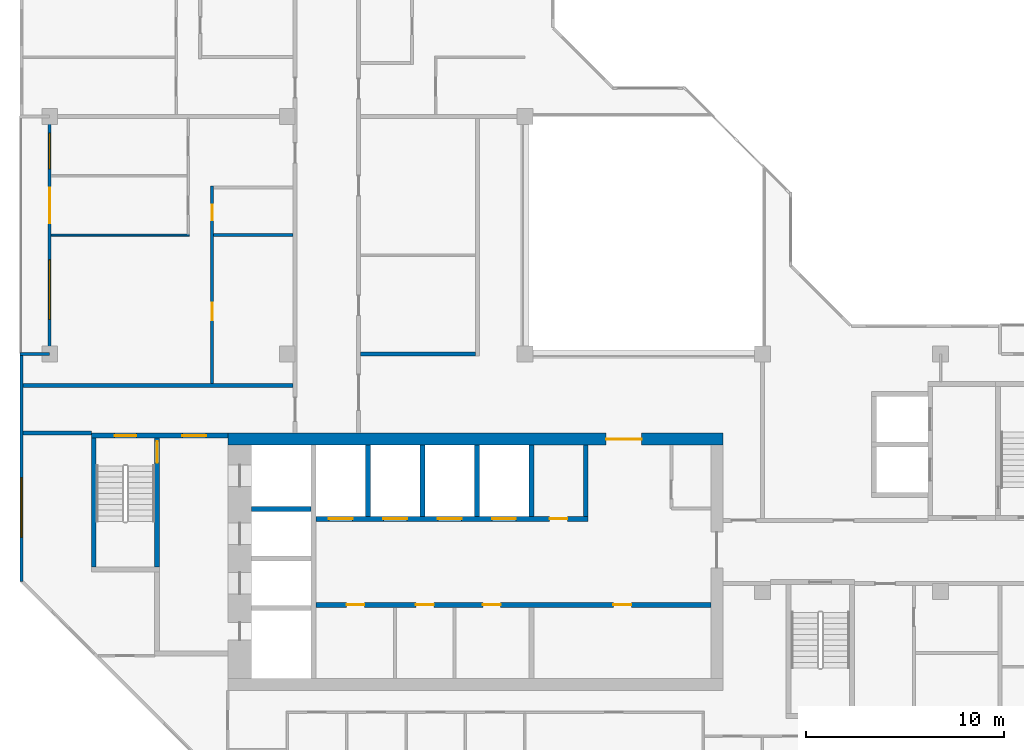
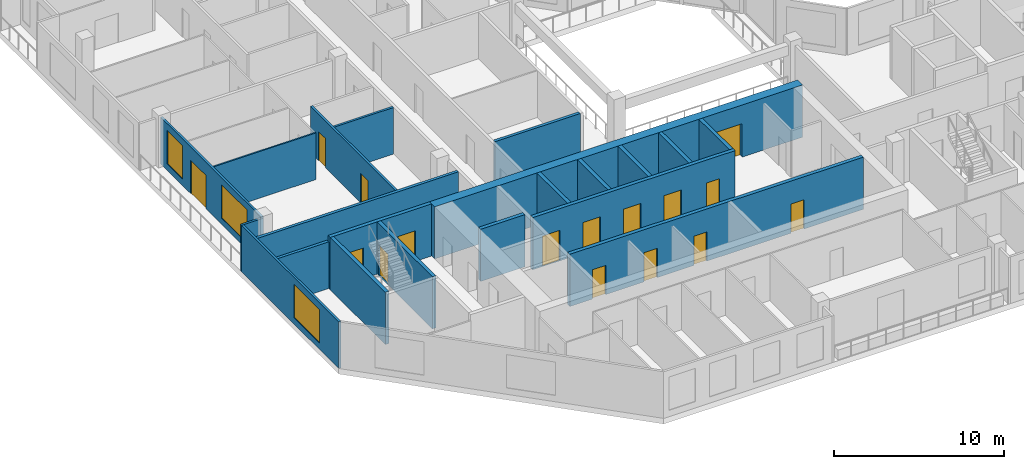
# One storey, part 5 of 13: 21 walls, 16 doors, 3 windows, 19 openings.
"""IFC4 building model written with IfcOpenShell, lengths in metres."""

from ifc_helpers import new_model, si_unit, direction, frame, frame_2d, origin, place, context, subcontext, project, spatial, rectangle, extrude, material, layer, layer_set, type_object, element, fill, save


model = new_model("IFC4")

# Units and contexts
model_context = context("Model", 3, precision=1e-05, world=origin(), true_north=direction((0.0, 1.0)))
body_context = subcontext(model_context, "Body", "Model", "MODEL_VIEW")
ifc_project = project(units=[si_unit("LENGTHUNIT", "METRE"), si_unit("AREAUNIT", "SQUARE_METRE"), si_unit("VOLUMEUNIT", "CUBIC_METRE"), si_unit("PLANEANGLEUNIT", "RADIAN"), si_unit("MASSUNIT", "GRAM", prefix="KILO")], contexts=[model_context])

# Site, building, storey
site_placement = place(None, origin())
site = spatial("IfcSite", under=ifc_project, at=site_placement, CompositionType="ELEMENT")
building_placement = place(site_placement, origin())
building = spatial("IfcBuilding", under=site, at=building_placement, Name="Chenar Terraces", CompositionType="ELEMENT")
storey_placement = place(building_placement, frame((0.0, 0.0, 277.14990234375)))
storey = spatial("IfcBuildingStorey", under=building, at=storey_placement, Name="L64", CompositionType="ELEMENT", Elevation=277.14990234375)

# Wall, openings, doors
ifc_material_1 = material(Name="Concrete C50/60", Category="concrete")
ifc_layer_1 = layer(ifc_material_1, 0.25)
ifc_layer_set_1 = layer_set([ifc_layer_1], Name="Concrete C50/60")
wall_type_1 = type_object("IfcWallType", Name="Core wall 250 Concrete C50/60", PredefinedType="SHEAR", material=ifc_layer_set_1)
wall_1_placement = place(storey_placement, frame((13.449951171875, 11.324951171875, 0.0), z_axis=(0.0, 0.0, 1.0), x_axis=(1.0, 0.0, 0.0)))
wall_1 = element("IfcWall", 1, at=wall_1_placement, inside=storey, type_object=wall_type_1, Name="Core wall SF L64", PredefinedType="SHEAR", context=body_context, shape_type="SweptSolid", body=[
    extrude(rectangle(XDim=19.949951171875, YDim=0.25, at=frame_2d((9.97509765625, 0.0))), origin(), (0.0, 0.0, 1.0), 3.75),
])
opening_1_placement = place(wall_1_placement, frame((1.550048828125, 0.0, 0.0)))
opening_1 = element("IfcOpeningElement", 2, at=opening_1_placement, cuts=wall_1, Name="Opening DL64-C12", PredefinedType="OPENING", context=body_context, shape_type="SweptSolid", body=[
    extrude(rectangle(XDim=0.89990234375, YDim=2.10009765625, at=frame_2d((0.449951171875, 1.050048828125))), frame((0.0, 0.135009765625, 0.0), z_axis=(0.0, -1.0, 0.0), x_axis=(1.0, 0.0, 0.0)), (0.0, 0.0, 1.0), 0.27001953125),
])
opening_2_placement = place(wall_1_placement, frame((5.050048828125, 0.0, 0.0)))
opening_2 = element("IfcOpeningElement", 3, at=opening_2_placement, cuts=wall_1, Name="Opening DL64-C13", PredefinedType="OPENING", context=body_context, shape_type="SweptSolid", body=[
    extrude(rectangle(XDim=0.89990234375, YDim=2.10009765625, at=frame_2d((0.449951171875, 1.050048828125))), frame((0.0, 0.135009765625, 0.0), z_axis=(0.0, -1.0, 0.0), x_axis=(1.0, 0.0, 0.0)), (0.0, 0.0, 1.0), 0.27001953125),
])
opening_3_placement = place(wall_1_placement, frame((8.425048828125, 0.0, 0.0)))
opening_3 = element("IfcOpeningElement", 4, at=opening_3_placement, cuts=wall_1, Name="Opening DL64-C14", PredefinedType="OPENING", context=body_context, shape_type="SweptSolid", body=[
    extrude(rectangle(XDim=0.89990234375, YDim=2.10009765625, at=frame_2d((0.449951171875, 1.050048828125))), frame((0.0, 0.135009765625, 0.0), z_axis=(0.0, -1.0, 0.0), x_axis=(1.0, 0.0, 0.0)), (0.0, 0.0, 1.0), 0.27001953125),
])
opening_4_placement = place(wall_1_placement, frame((15.02490234375, 0.0, 0.0)))
opening_4 = element("IfcOpeningElement", 5, at=opening_4_placement, cuts=wall_1, Name="Opening DL64-C15", PredefinedType="OPENING", context=body_context, shape_type="SweptSolid", body=[
    extrude(rectangle(XDim=0.89990234375, YDim=2.10009765625, at=frame_2d((0.449951171875, 1.050048828125))), frame((0.0, 0.135009765625, 0.0), z_axis=(0.0, -1.0, 0.0), x_axis=(1.0, 0.0, 0.0)), (0.0, 0.0, 1.0), 0.27001953125),
])
ifc_material_2 = material(Name="Steel-framed fire-resisting door leaf", Category="steel")
door_type_1 = type_object("IfcDoorType", Name="Riser fire door FD60 900 x 2100", OperationType="SINGLE_SWING_LEFT", PredefinedType="DOOR", material=ifc_material_2)
door_1_placement = place(opening_1_placement, frame((0.89990234375, 0.0, 0.0), z_axis=(0.0, 0.0, 1.0), x_axis=(-1.0, 0.0, 0.0)))
door_1 = element("IfcDoor", 6, at=door_1_placement, inside=storey, type_object=door_type_1, Name="Core room door DL64-C12", OperationType="SINGLE_SWING_LEFT", OverallHeight=2.10009765625, OverallWidth=0.89990234375, PredefinedType="DOOR", context=body_context, shape_type="SweptSolid", body=[
    extrude(rectangle(XDim=0.89990234375, YDim=2.10009765625, at=frame_2d((0.449951171875, 1.050048828125))), frame((0.0, 0.02490234375, 0.0), z_axis=(0.0, -1.0, 0.0), x_axis=(1.0, 0.0, 0.0)), (0.0, 0.0, 1.0), 0.050048828125),
])
fill(opening_1, door_1)
door_2_placement = place(opening_2_placement, frame((0.89990234375, 0.0, 0.0), z_axis=(0.0, 0.0, 1.0), x_axis=(-1.0, 0.0, 0.0)))
door_2 = element("IfcDoor", 7, at=door_2_placement, inside=storey, type_object=door_type_1, Name="Core room door DL64-C13", OperationType="SINGLE_SWING_LEFT", OverallHeight=2.10009765625, OverallWidth=0.89990234375, PredefinedType="DOOR", context=body_context, shape_type="SweptSolid", body=[
    extrude(rectangle(XDim=0.89990234375, YDim=2.10009765625, at=frame_2d((0.449951171875, 1.050048828125))), frame((0.0, 0.02490234375, 0.0), z_axis=(0.0, -1.0, 0.0), x_axis=(1.0, 0.0, 0.0)), (0.0, 0.0, 1.0), 0.050048828125),
])
fill(opening_2, door_2)
door_3_placement = place(opening_3_placement, frame((0.89990234375, 0.0, 0.0), z_axis=(0.0, 0.0, 1.0), x_axis=(-1.0, 0.0, 0.0)))
door_3 = element("IfcDoor", 8, at=door_3_placement, inside=storey, type_object=door_type_1, Name="Core room door DL64-C14", OperationType="SINGLE_SWING_RIGHT", OverallHeight=2.10009765625, OverallWidth=0.89990234375, PredefinedType="DOOR", context=body_context, shape_type="SweptSolid", body=[
    extrude(rectangle(XDim=0.89990234375, YDim=2.10009765625, at=frame_2d((0.449951171875, 1.050048828125))), frame((0.0, 0.02490234375, 0.0), z_axis=(0.0, -1.0, 0.0), x_axis=(1.0, 0.0, 0.0)), (0.0, 0.0, 1.0), 0.050048828125),
])
fill(opening_3, door_3)
door_4_placement = place(opening_4_placement, frame((0.89990234375, 0.0, 0.0), z_axis=(0.0, 0.0, 1.0), x_axis=(-1.0, 0.0, 0.0)))
door_4 = element("IfcDoor", 9, at=door_4_placement, inside=storey, type_object=door_type_1, Name="Core room door DL64-C15", OperationType="SINGLE_SWING_LEFT", OverallHeight=2.10009765625, OverallWidth=0.89990234375, PredefinedType="DOOR", context=body_context, shape_type="SweptSolid", body=[
    extrude(rectangle(XDim=0.89990234375, YDim=2.10009765625, at=frame_2d((0.449951171875, 1.050048828125))), frame((0.0, 0.02490234375, 0.0), z_axis=(0.0, -1.0, 0.0), x_axis=(1.0, 0.0, 0.0)), (0.0, 0.0, 1.0), 0.050048828125),
])
fill(opening_4, door_4)

wall_2_placement = place(storey_placement, frame((13.449951171875, 15.675048828125, 0.0), z_axis=(0.0, 0.0, 1.0), x_axis=(1.0, 0.0, 0.0)))
wall_2 = element("IfcWall", 10, at=wall_2_placement, inside=storey, type_object=wall_type_1, Name="Core wall NF L64", PredefinedType="SHEAR", context=body_context, shape_type="SweptSolid", body=[
    extrude(rectangle(XDim=13.75, YDim=0.25, at=frame_2d((6.875, 0.0))), origin(), (0.0, 0.0, 1.0), 3.75),
])
opening_5_placement = place(wall_2_placement, frame((0.64990234375, 0.0, 0.0)))
opening_5 = element("IfcOpeningElement", 11, at=opening_5_placement, cuts=wall_2, Name="Opening DL64-LD1", PredefinedType="OPENING", context=body_context, shape_type="SweptSolid", body=[
    extrude(rectangle(XDim=1.199951171875, YDim=2.199951171875, at=frame_2d((0.60009765625, 1.10009765625))), frame((0.0, 0.135009765625, 0.0), z_axis=(0.0, -1.0, 0.0), x_axis=(1.0, 0.0, 0.0)), (0.0, 0.0, 1.0), 0.27001953125),
])
opening_6_placement = place(wall_2_placement, frame((3.39990234375, 0.0, 0.0)))
opening_6 = element("IfcOpeningElement", 12, at=opening_6_placement, cuts=wall_2, Name="Opening DL64-LD2", PredefinedType="OPENING", context=body_context, shape_type="SweptSolid", body=[
    extrude(rectangle(XDim=1.199951171875, YDim=2.199951171875, at=frame_2d((0.60009765625, 1.10009765625))), frame((0.0, 0.135009765625, 0.0), z_axis=(0.0, -1.0, 0.0), x_axis=(1.0, 0.0, 0.0)), (0.0, 0.0, 1.0), 0.27001953125),
])
opening_7_placement = place(wall_2_placement, frame((6.14990234375, 0.0, 0.0)))
opening_7 = element("IfcOpeningElement", 13, at=opening_7_placement, cuts=wall_2, Name="Opening DL64-LD3", PredefinedType="OPENING", context=body_context, shape_type="SweptSolid", body=[
    extrude(rectangle(XDim=1.199951171875, YDim=2.199951171875, at=frame_2d((0.60009765625, 1.10009765625))), frame((0.0, 0.135009765625, 0.0), z_axis=(0.0, -1.0, 0.0), x_axis=(1.0, 0.0, 0.0)), (0.0, 0.0, 1.0), 0.27001953125),
])
opening_8_placement = place(wall_2_placement, frame((8.89990234375, 0.0, 0.0)))
opening_8 = element("IfcOpeningElement", 14, at=opening_8_placement, cuts=wall_2, Name="Opening DL64-LD4", PredefinedType="OPENING", context=body_context, shape_type="SweptSolid", body=[
    extrude(rectangle(XDim=1.199951171875, YDim=2.199951171875, at=frame_2d((0.60009765625, 1.10009765625))), frame((0.0, 0.135009765625, 0.0), z_axis=(0.0, -1.0, 0.0), x_axis=(1.0, 0.0, 0.0)), (0.0, 0.0, 1.0), 0.27001953125),
])
opening_9_placement = place(wall_2_placement, frame((11.800048828125, 0.0, 0.0)))
opening_9 = element("IfcOpeningElement", 15, at=opening_9_placement, cuts=wall_2, Name="Opening DL64-C16", PredefinedType="OPENING", context=body_context, shape_type="SweptSolid", body=[
    extrude(rectangle(XDim=0.89990234375, YDim=2.10009765625, at=frame_2d((0.449951171875, 1.050048828125))), frame((0.0, 0.135009765625, 0.0), z_axis=(0.0, -1.0, 0.0), x_axis=(1.0, 0.0, 0.0)), (0.0, 0.0, 1.0), 0.27001953125),
])
ifc_material_3 = material(Name="Stainless steel", Category="steel")
door_type_2 = type_object("IfcDoorType", Name="Lift landing door 1200 x 2200 sliding", OperationType="DOUBLE_DOOR_SLIDING", PredefinedType="DOOR", material=ifc_material_3)
door_5_placement = place(opening_5_placement, origin())
door_5 = element("IfcDoor", 16, at=door_5_placement, inside=storey, type_object=door_type_2, Name="Landing door H1", OperationType="DOUBLE_DOOR_SLIDING", OverallHeight=2.199951171875, OverallWidth=1.199951171875, PredefinedType="DOOR", context=body_context, shape_type="SweptSolid", body=[
    extrude(rectangle(XDim=1.199951171875, YDim=2.199951171875, at=frame_2d((0.60009765625, 1.10009765625))), frame((0.0, 0.02490234375, 0.0), z_axis=(0.0, -1.0, 0.0), x_axis=(1.0, 0.0, 0.0)), (0.0, 0.0, 1.0), 0.050048828125),
])
fill(opening_5, door_5)
door_6_placement = place(opening_6_placement, origin())
door_6 = element("IfcDoor", 17, at=door_6_placement, inside=storey, type_object=door_type_2, Name="Landing door H2", OperationType="DOUBLE_DOOR_SLIDING", OverallHeight=2.199951171875, OverallWidth=1.199951171875, PredefinedType="DOOR", context=body_context, shape_type="SweptSolid", body=[
    extrude(rectangle(XDim=1.199951171875, YDim=2.199951171875, at=frame_2d((0.60009765625, 1.10009765625))), frame((0.0, 0.02490234375, 0.0), z_axis=(0.0, -1.0, 0.0), x_axis=(1.0, 0.0, 0.0)), (0.0, 0.0, 1.0), 0.050048828125),
])
fill(opening_6, door_6)
door_7_placement = place(opening_7_placement, origin())
door_7 = element("IfcDoor", 18, at=door_7_placement, inside=storey, type_object=door_type_2, Name="Landing door H3", OperationType="DOUBLE_DOOR_SLIDING", OverallHeight=2.199951171875, OverallWidth=1.199951171875, PredefinedType="DOOR", context=body_context, shape_type="SweptSolid", body=[
    extrude(rectangle(XDim=1.199951171875, YDim=2.199951171875, at=frame_2d((0.60009765625, 1.10009765625))), frame((0.0, 0.02490234375, 0.0), z_axis=(0.0, -1.0, 0.0), x_axis=(1.0, 0.0, 0.0)), (0.0, 0.0, 1.0), 0.050048828125),
])
fill(opening_7, door_7)
door_8_placement = place(opening_8_placement, origin())
door_8 = element("IfcDoor", 19, at=door_8_placement, inside=storey, type_object=door_type_2, Name="Landing door H4", OperationType="DOUBLE_DOOR_SLIDING", OverallHeight=2.199951171875, OverallWidth=1.199951171875, PredefinedType="DOOR", context=body_context, shape_type="SweptSolid", body=[
    extrude(rectangle(XDim=1.199951171875, YDim=2.199951171875, at=frame_2d((0.60009765625, 1.10009765625))), frame((0.0, 0.02490234375, 0.0), z_axis=(0.0, -1.0, 0.0), x_axis=(1.0, 0.0, 0.0)), (0.0, 0.0, 1.0), 0.050048828125),
])
fill(opening_8, door_8)
door_9_placement = place(opening_9_placement, origin())
door_9 = element("IfcDoor", 20, at=door_9_placement, inside=storey, type_object=door_type_1, Name="Core room door DL64-C16", OperationType="SINGLE_SWING_RIGHT", OverallHeight=2.10009765625, OverallWidth=0.89990234375, PredefinedType="DOOR", context=body_context, shape_type="SweptSolid", body=[
    extrude(rectangle(XDim=0.89990234375, YDim=2.10009765625, at=frame_2d((0.449951171875, 1.050048828125))), frame((0.0, 0.02490234375, 0.0), z_axis=(0.0, -1.0, 0.0), x_axis=(1.0, 0.0, 0.0)), (0.0, 0.0, 1.0), 0.050048828125),
])
fill(opening_9, door_9)

# Walls
wall_3_placement = place(storey_placement, frame((10.199951171875, 16.175048828125, 0.0), z_axis=(0.0, 0.0, 1.0), x_axis=(1.0, 0.0, 0.0)))
element("IfcWall", 21, at=wall_3_placement, inside=storey, type_object=wall_type_1, Name="Core wall HW2 L64", PredefinedType="SHEAR", context=body_context, shape_type="SweptSolid", body=[
    extrude(rectangle(XDim=3.0, YDim=0.25, at=frame_2d((1.5, 0.0))), origin(), (0.0, 0.0, 1.0), 3.75),
])
for number, where, z_axis, x_axis, name in (
    (22, (16.074951171875, 15.800048828125, 0.0), (0.0, 0.0, 1.0), (0.0, 1.0, 0.0), "Core wall NS0 L64"),
    (23, (18.824951171875, 15.800048828125, 0.0), (0.0, 0.0, 1.0), (0.0, 1.0, 0.0), "Core wall NS1 L64"),
    (24, (21.574951171875, 15.800048828125, 0.0), (0.0, 0.0, 1.0), (0.0, 1.0, 0.0), "Core wall NS2 L64"),
    (25, (24.324951171875, 15.800048828125, 0.0), (0.0, 0.0, 1.0), (0.0, 1.0, 0.0), "Core wall NS3 L64"),
    (26, (27.074951171875, 15.800048828125, 0.0), (0.0, 0.0, 1.0), (0.0, 1.0, 0.0), "Core wall NE L64"),
):
    element("IfcWall", number, at=place(storey_placement, frame(where, z_axis=z_axis, x_axis=x_axis)), inside=storey, type_object=wall_type_1, Name=name, PredefinedType="SHEAR", context=body_context, shape_type="SweptSolid", body=[
        extrude(rectangle(XDim=3.599853515625, YDim=0.25, at=frame_2d((1.7998046875, 0.0))), origin(), (0.0, 0.0, 1.0), 3.75),
    ])

# Wall, openings, doors
wall_4_placement = place(storey_placement, frame((2.10009765625, 19.875, 0.0), z_axis=(0.0, 0.0, 1.0), x_axis=(1.0, 0.0, 0.0)))
wall_4 = element("IfcWall", 27, at=wall_4_placement, inside=storey, type_object=wall_type_1, Name="Core wall A_N L64", PredefinedType="SHEAR", context=body_context, shape_type="SweptSolid", body=[
    extrude(rectangle(XDim=6.89990234375, YDim=0.25, at=frame_2d((3.449951171875, 0.0))), origin(), (0.0, 0.0, 1.0), 3.75),
])
opening_10_placement = place(wall_4_placement, frame((1.175048828125, 0.0, 0.0)))
opening_10 = element("IfcOpeningElement", 28, at=opening_10_placement, cuts=wall_4, Name="Opening DL64-C5", PredefinedType="OPENING", context=body_context, shape_type="SweptSolid", body=[
    extrude(rectangle(XDim=1.10009765625, YDim=2.199951171875, at=frame_2d((0.550048828125, 1.10009765625))), frame((0.0, 0.135009765625, 0.0), z_axis=(0.0, -1.0, 0.0), x_axis=(1.0, 0.0, 0.0)), (0.0, 0.0, 1.0), 0.27001953125),
])
opening_11_placement = place(wall_4_placement, frame((4.60009765625, 0.0, 0.0)))
opening_11 = element("IfcOpeningElement", 29, at=opening_11_placement, cuts=wall_4, Name="Opening DL64-C6", PredefinedType="OPENING", context=body_context, shape_type="SweptSolid", body=[
    extrude(rectangle(XDim=1.199951171875, YDim=2.199951171875, at=frame_2d((0.60009765625, 1.10009765625))), frame((0.0, 0.135009765625, 0.0), z_axis=(0.0, -1.0, 0.0), x_axis=(1.0, 0.0, 0.0)), (0.0, 0.0, 1.0), 0.27001953125),
])
ifc_material_4 = material(Name="Steel-framed fire-resisting door leaf", Category="steel")
door_type_3 = type_object("IfcDoorType", Name="Lobby fire door FD60 1200 x 2200", OperationType="SINGLE_SWING_LEFT", PredefinedType="DOOR", material=ifc_material_4)
door_10_placement = place(opening_11_placement, frame((1.199951171875, 0.0, 0.0), z_axis=(0.0, 0.0, 1.0), x_axis=(-1.0, 0.0, 0.0)))
door_10 = element("IfcDoor", 30, at=door_10_placement, inside=storey, type_object=door_type_3, Name="Core door DL64-C6", OperationType="SINGLE_SWING_LEFT", OverallHeight=2.199951171875, OverallWidth=1.199951171875, PredefinedType="DOOR", context=body_context, shape_type="SweptSolid", body=[
    extrude(rectangle(XDim=1.199951171875, YDim=2.199951171875, at=frame_2d((0.60009765625, 1.10009765625))), frame((0.0, 0.02490234375, 0.0), z_axis=(0.0, -1.0, 0.0), x_axis=(1.0, 0.0, 0.0)), (0.0, 0.0, 1.0), 0.050048828125),
])
fill(opening_11, door_10)
ifc_material_5 = material(Name="Steel-framed fire-resisting door leaf", Category="steel")
door_type_4 = type_object("IfcDoorType", Name="Stair fire door FD60 1100 x 2200", OperationType="SINGLE_SWING_LEFT", PredefinedType="DOOR", material=ifc_material_5)
door_11_placement = place(opening_10_placement, origin())
door_11 = element("IfcDoor", 31, at=door_11_placement, inside=storey, type_object=door_type_4, Name="Stair door DL64-C5", OperationType="SINGLE_SWING_LEFT", OverallHeight=2.199951171875, OverallWidth=1.10009765625, PredefinedType="DOOR", context=body_context, shape_type="SweptSolid", body=[
    extrude(rectangle(XDim=1.10009765625, YDim=2.199951171875, at=frame_2d((0.550048828125, 1.10009765625))), frame((0.0, 0.02490234375, 0.0), z_axis=(0.0, -1.0, 0.0), x_axis=(1.0, 0.0, 0.0)), (0.0, 0.0, 1.0), 0.050048828125),
])
fill(opening_10, door_11)

# Wall
wall_5_placement = place(storey_placement, frame((2.22509765625, 13.25, 0.0), z_axis=(0.0, 0.0, 1.0), x_axis=(0.0, 1.0, 0.0)))
element("IfcWall", 32, at=wall_5_placement, inside=storey, type_object=wall_type_1, Name="Core wall ST1_W L64", PredefinedType="SHEAR", context=body_context, shape_type="SweptSolid", body=[
    extrude(rectangle(XDim=6.5, YDim=0.25, at=frame_2d((3.25, 0.0))), origin(), (0.0, 0.0, 1.0), 3.75),
])

# Wall, opening, door
wall_6_placement = place(storey_placement, frame((5.425048828125, 13.25, 0.0), z_axis=(0.0, 0.0, 1.0), x_axis=(0.0, 1.0, 0.0)))
wall_6 = element("IfcWall", 33, at=wall_6_placement, inside=storey, type_object=wall_type_1, Name="Core wall ST1_E L64", PredefinedType="SHEAR", context=body_context, shape_type="SweptSolid", body=[
    extrude(rectangle(XDim=6.5, YDim=0.25, at=frame_2d((3.25, 0.0))), origin(), (0.0, 0.0, 1.0), 3.75),
])
opening_12_placement = place(wall_6_placement, frame((5.25, 0.0, 0.0)))
opening_12 = element("IfcOpeningElement", 34, at=opening_12_placement, cuts=wall_6, Name="Opening DL64-C3", PredefinedType="OPENING", context=body_context, shape_type="SweptSolid", body=[
    extrude(rectangle(XDim=1.10009765625, YDim=2.199951171875, at=frame_2d((0.550048828125, 1.10009765625))), frame((0.0, 0.135009765625, 0.0), z_axis=(0.0, -1.0, 0.0), x_axis=(1.0, 0.0, 0.0)), (0.0, 0.0, 1.0), 0.27001953125),
])
door_12_placement = place(opening_12_placement, origin())
door_12 = element("IfcDoor", 35, at=door_12_placement, inside=storey, type_object=door_type_4, Name="Stair door DL64-C3", OperationType="SINGLE_SWING_RIGHT", OverallHeight=2.199951171875, OverallWidth=1.10009765625, PredefinedType="DOOR", context=body_context, shape_type="SweptSolid", body=[
    extrude(rectangle(XDim=1.10009765625, YDim=2.199951171875, at=frame_2d((0.550048828125, 1.10009765625))), frame((0.0, 0.02490234375, 0.0), z_axis=(0.0, -1.0, 0.0), x_axis=(1.0, 0.0, 0.0)), (0.0, 0.0, 1.0), 0.050048828125),
])
fill(opening_12, door_12)

ifc_material_6 = material(Name="Concrete C50/60", Category="concrete")
ifc_layer_2 = layer(ifc_material_6, 0.60009765625)
ifc_layer_set_2 = layer_set([ifc_layer_2], Name="Concrete C50/60")
wall_type_2 = type_object("IfcWallType", Name="Core wall 600 Concrete C50/60", PredefinedType="SHEAR", material=ifc_layer_set_2)
wall_7_placement = place(storey_placement, frame((9.0, 19.699951171875, 0.0), z_axis=(0.0, 0.0, 1.0), x_axis=(1.0, 0.0, 0.0)))
wall_7 = element("IfcWall", 36, at=wall_7_placement, inside=storey, type_object=wall_type_2, Name="Core wall N L64", PredefinedType="SHEAR", context=body_context, shape_type="SweptSolid", body=[
    extrude(rectangle(XDim=25.0, YDim=0.60009765625, at=frame_2d((12.5, 0.0))), origin(), (0.0, 0.0, 1.0), 3.75),
])
opening_13_placement = place(wall_7_placement, frame((19.10009765625, 0.0, 0.0)))
opening_13 = element("IfcOpeningElement", 37, at=opening_13_placement, cuts=wall_7, Name="Opening DL64-C2", PredefinedType="OPENING", context=body_context, shape_type="SweptSolid", body=[
    extrude(rectangle(XDim=1.800048828125, YDim=2.39990234375, at=frame_2d((0.89990234375, 1.199951171875))), frame((0.0, 0.31005859375, 0.0), z_axis=(0.0, -1.0, 0.0), x_axis=(1.0, 0.0, 0.0)), (0.0, 0.0, 1.0), 0.6201171875),
])
ifc_material_7 = material(Name="Steel-framed fire-resisting door leaf", Category="steel")
door_type_5 = type_object("IfcDoorType", Name="Core entrance double fire door FD60 1800 x 2400", OperationType="DOUBLE_DOOR_SINGLE_SWING", PredefinedType="DOOR", material=ifc_material_7)
door_13_placement = place(opening_13_placement, frame((1.800048828125, 0.0, 0.0), z_axis=(0.0, 0.0, 1.0), x_axis=(-1.0, 0.0, 0.0)))
door_13 = element("IfcDoor", 38, at=door_13_placement, inside=storey, type_object=door_type_5, Name="Core door DL64-C2", OperationType="DOUBLE_DOOR_SINGLE_SWING", OverallHeight=2.39990234375, OverallWidth=1.800048828125, PredefinedType="DOOR", context=body_context, shape_type="SweptSolid", body=[
    extrude(rectangle(XDim=1.800048828125, YDim=2.39990234375, at=frame_2d((0.89990234375, 1.199951171875))), frame((0.0, 0.02490234375, 0.0), z_axis=(0.0, -1.0, 0.0), x_axis=(1.0, 0.0, 0.0)), (0.0, 0.0, 1.0), 0.050048828125),
])
fill(opening_13, door_13)

# Walls
ifc_material_8 = material(Name="Gypsum board on steel studs with fire boards", Category="steel")
ifc_layer_3 = layer(ifc_material_8, 0.199951171875)
ifc_layer_set_3 = layer_set([ifc_layer_3], Name="Gypsum board on steel studs with fire boards")
wall_type_3 = type_object("IfcWallType", Name="Corridor wall 200", PredefinedType="PARTITIONING", material=ifc_layer_set_3)
wall_8_placement = place(storey_placement, frame((-1.35009765625, 20.0, 0.0), z_axis=(0.0, 0.0, 1.0), x_axis=(1.0, 0.0, 0.0)))
element("IfcWall", 39, at=wall_8_placement, inside=storey, type_object=wall_type_3, Name="Partition L64-002", PredefinedType="PARTITIONING", context=body_context, shape_type="SweptSolid", body=[
    extrude(rectangle(XDim=3.4501953125, YDim=0.199951171875, at=frame_2d((1.72509765625, 0.0))), origin(), (0.0, 0.0, 1.0), 3.35009765625),
])
wall_9_placement = place(storey_placement, frame((-1.35009765625, 22.39990234375, 0.0), z_axis=(0.0, 0.0, 1.0), x_axis=(1.0, 0.0, 0.0)))
element("IfcWall", 40, at=wall_9_placement, inside=storey, type_object=wall_type_3, Name="Partition L64-003", PredefinedType="PARTITIONING", context=body_context, shape_type="SweptSolid", body=[
    extrude(rectangle(XDim=13.650146484375, YDim=0.199951171875, at=frame_2d((6.8251953125, 0.0))), origin(), (0.0, 0.0, 1.0), 3.35009765625),
])
wall_10_placement = place(storey_placement, frame((15.699951171875, 24.0, 0.0), z_axis=(0.0, 0.0, 1.0), x_axis=(1.0, 0.0, 0.0)))
element("IfcWall", 41, at=wall_10_placement, inside=storey, type_object=wall_type_3, Name="Partition L64-032", PredefinedType="PARTITIONING", context=body_context, shape_type="SweptSolid", body=[
    extrude(rectangle(XDim=5.800048828125, YDim=0.199951171875, at=frame_2d((2.89990234375, 0.0))), origin(), (0.0, 0.0, 1.0), 3.35009765625),
])

# Wall, opening, window
ifc_material_9 = material(Name="Aluminium framed glazing", Category="aluminium")
ifc_layer_4 = layer(ifc_material_9, 0.14990234375)
ifc_layer_set_4 = layer_set([ifc_layer_4], Name="Aluminium framed glazing")
wall_type_4 = type_object("IfcWallType", Name="Glazed flush facade wall 150", PredefinedType="SOLIDWALL", material=ifc_layer_set_4)
wall_11_placement = place(storey_placement, frame((-1.425048828125, 23.925048828125, 0.0), z_axis=(0.0, 0.0, 1.0), x_axis=(0.0, -1.0, 0.0)))
wall_11 = element("IfcWall", 42, at=wall_11_placement, inside=storey, type_object=wall_type_4, Name="Glazed flush facade wall", PredefinedType="SOLIDWALL", context=body_context, shape_type="SweptSolid", body=[
    extrude(rectangle(XDim=11.425048828125, YDim=0.14990234375, at=frame_2d((5.71240234375, 0.0))), origin(), (0.0, 0.0, 1.0), 3.35009765625),
])
opening_14_placement = place(wall_11_placement, frame((6.175048828125, 0.0, 0.449951171875)))
opening_14 = element("IfcOpeningElement", 43, at=opening_14_placement, cuts=wall_11, Name="Opening W300x240", PredefinedType="OPENING", context=body_context, shape_type="SweptSolid", body=[
    extrude(rectangle(XDim=3.0, YDim=2.39990234375, at=frame_2d((1.5, 1.199951171875))), frame((0.0, 0.0849609375, 0.0), z_axis=(0.0, -1.0, 0.0), x_axis=(1.0, 0.0, 0.0)), (0.0, 0.0, 1.0), 0.169921875),
])
ifc_material_10 = material(Name="Low emissivity double glazing, aluminium frame", Category="aluminium")
window_type_1 = type_object("IfcWindowType", Name="Fixed light 3000 x 2400", PartitioningType="SINGLE_PANEL", PredefinedType="WINDOW", material=ifc_material_10)
window_1_placement = place(opening_14_placement, origin())
window_1 = element("IfcWindow", 44, at=window_1_placement, inside=storey, type_object=window_type_1, Name="Window", OverallHeight=2.39990234375, OverallWidth=3.0, PartitioningType="SINGLE_PANEL", PredefinedType="WINDOW", context=body_context, shape_type="SweptSolid", body=[
    extrude(rectangle(XDim=3.0, YDim=2.39990234375, at=frame_2d((1.5, 1.199951171875))), frame((0.0, 0.030029296875, 0.0), z_axis=(0.0, -1.0, 0.0), x_axis=(1.0, 0.0, 0.0)), (0.0, 0.0, 1.0), 0.06005859375),
])
fill(opening_14, window_1)

# Wall, openings, windows, door
ifc_material_11 = material(Name="Aluminium framed glazing", Category="aluminium")
ifc_layer_5 = layer(ifc_material_11, 0.14990234375)
ifc_layer_set_5 = layer_set([ifc_layer_5], Name="Aluminium framed glazing")
wall_type_5 = type_object("IfcWallType", Name="Glazed loggia back wall 150", PredefinedType="SOLIDWALL", material=ifc_layer_set_5)
wall_12_placement = place(storey_placement, frame((0.0, 35.925048828125, 0.0), z_axis=(0.0, 0.0, 1.0), x_axis=(0.0, -1.0, 0.0)))
wall_12 = element("IfcWall", 45, at=wall_12_placement, inside=storey, type_object=wall_type_5, Name="Glazed loggia back wall", PredefinedType="SOLIDWALL", context=body_context, shape_type="SweptSolid", body=[
    extrude(rectangle(XDim=11.85009765625, YDim=0.14990234375, at=frame_2d((5.925048828125, 0.0))), origin(), (0.0, 0.0, 1.0), 3.35009765625),
])
opening_15_placement = place(wall_12_placement, frame((0.77490234375, 0.0, 0.449951171875)))
opening_15 = element("IfcOpeningElement", 46, at=opening_15_placement, cuts=wall_12, Name="Opening W180x240", PredefinedType="OPENING", context=body_context, shape_type="SweptSolid", body=[
    extrude(rectangle(XDim=1.800048828125, YDim=2.39990234375, at=frame_2d((0.89990234375, 1.199951171875))), frame((0.0, 0.0849609375, 0.0), z_axis=(0.0, -1.0, 0.0), x_axis=(1.0, 0.0, 0.0)), (0.0, 0.0, 1.0), 0.169921875),
])
opening_16_placement = place(wall_12_placement, frame((3.52490234375, 0.0, 0.0)))
opening_16 = element("IfcOpeningElement", 47, at=opening_16_placement, cuts=wall_12, Name="Opening DL64-G3", PredefinedType="OPENING", context=body_context, shape_type="SweptSolid", body=[
    extrude(rectangle(XDim=1.800048828125, YDim=2.39990234375, at=frame_2d((0.89990234375, 1.199951171875))), frame((0.0, 0.0849609375, 0.0), z_axis=(0.0, -1.0, 0.0), x_axis=(1.0, 0.0, 0.0)), (0.0, 0.0, 1.0), 0.169921875),
])
opening_17_placement = place(wall_12_placement, frame((7.175048828125, 0.0, 0.449951171875)))
opening_17 = element("IfcOpeningElement", 48, at=opening_17_placement, cuts=wall_12, Name="Opening W300x240", PredefinedType="OPENING", context=body_context, shape_type="SweptSolid", body=[
    extrude(rectangle(XDim=3.0, YDim=2.39990234375, at=frame_2d((1.5, 1.199951171875))), frame((0.0, 0.0849609375, 0.0), z_axis=(0.0, -1.0, 0.0), x_axis=(1.0, 0.0, 0.0)), (0.0, 0.0, 1.0), 0.169921875),
])
ifc_material_12 = material(Name="Low emissivity double glazing, aluminium frame", Category="aluminium")
window_type_2 = type_object("IfcWindowType", Name="Fixed light 1800 x 2400", PartitioningType="SINGLE_PANEL", PredefinedType="WINDOW", material=ifc_material_12)
window_2_placement = place(opening_15_placement, origin())
window_2 = element("IfcWindow", 49, at=window_2_placement, inside=storey, type_object=window_type_2, Name="Window", OverallHeight=2.39990234375, OverallWidth=1.800048828125, PartitioningType="SINGLE_PANEL", PredefinedType="WINDOW", context=body_context, shape_type="SweptSolid", body=[
    extrude(rectangle(XDim=1.800048828125, YDim=2.39990234375, at=frame_2d((0.89990234375, 1.199951171875))), frame((0.0, 0.030029296875, 0.0), z_axis=(0.0, -1.0, 0.0), x_axis=(1.0, 0.0, 0.0)), (0.0, 0.0, 1.0), 0.06005859375),
])
fill(opening_15, window_2)
window_3_placement = place(opening_17_placement, origin())
window_3 = element("IfcWindow", 50, at=window_3_placement, inside=storey, type_object=window_type_1, Name="Window", OverallHeight=2.39990234375, OverallWidth=3.0, PartitioningType="SINGLE_PANEL", PredefinedType="WINDOW", context=body_context, shape_type="SweptSolid", body=[
    extrude(rectangle(XDim=3.0, YDim=2.39990234375, at=frame_2d((1.5, 1.199951171875))), frame((0.0, 0.030029296875, 0.0), z_axis=(0.0, -1.0, 0.0), x_axis=(1.0, 0.0, 0.0)), (0.0, 0.0, 1.0), 0.06005859375),
])
fill(opening_17, window_3)
ifc_material_13 = material(Name="Low emissivity double glazing, aluminium frame", Category="aluminium")
door_type_6 = type_object("IfcDoorType", Name="Loggia glazed double door 1800 x 2400", OperationType="DOUBLE_DOOR_SINGLE_SWING", PredefinedType="DOOR", material=ifc_material_13)
door_14_placement = place(opening_16_placement, frame((1.800048828125, 0.0, 0.0), z_axis=(0.0, 0.0, 1.0), x_axis=(-1.0, 0.0, 0.0)))
door_14 = element("IfcDoor", 51, at=door_14_placement, inside=storey, type_object=door_type_6, Name="Loggia glazed door", OperationType="DOUBLE_DOOR_SINGLE_SWING", OverallHeight=2.39990234375, OverallWidth=1.800048828125, PredefinedType="DOOR", context=body_context, shape_type="SweptSolid", body=[
    extrude(rectangle(XDim=1.800048828125, YDim=2.39990234375, at=frame_2d((0.89990234375, 1.199951171875))), frame((0.0, 0.02490234375, 0.0), z_axis=(0.0, -1.0, 0.0), x_axis=(1.0, 0.0, 0.0)), (0.0, 0.0, 1.0), 0.050048828125),
])
fill(opening_16, door_14)

# Walls
ifc_material_14 = material(Name="Gypsum board on steel studs", Category="steel")
ifc_layer_6 = layer(ifc_material_14, 0.10009765625)
ifc_layer_set_6 = layer_set([ifc_layer_6], Name="Gypsum board on steel studs")
wall_type_6 = type_object("IfcWallType", Name="Gypsum partition 100", PredefinedType="PARTITIONING", material=ifc_layer_set_6)
wall_13_placement = place(storey_placement, frame((0.073974609375, 30.0, 0.0), z_axis=(0.0, 0.0, 1.0), x_axis=(1.0, 0.0, 0.0)))
element("IfcWall", 52, at=wall_13_placement, inside=storey, type_object=wall_type_6, Name="Partition L64-007", PredefinedType="PARTITIONING", context=body_context, shape_type="SweptSolid", body=[
    extrude(rectangle(XDim=6.97607421875, YDim=0.10009765625, at=frame_2d((3.488037109375, 0.0))), origin(), (0.0, 0.0, 1.0), 3.35009765625),
])
ifc_material_15 = material(Name="Terracotta cladding on insulated backing", Category="masonry")
ifc_layer_7 = layer(ifc_material_15, 0.14990234375)
ifc_layer_set_7 = layer_set([ifc_layer_7], Name="Terracotta cladding on insulated backing")
wall_type_7 = type_object("IfcWallType", Name="Loggia return wall 150", PredefinedType="SOLIDWALL", material=ifc_layer_set_7)
wall_14_placement = place(storey_placement, frame((-1.5, 24.0, 0.0), z_axis=(0.0, 0.0, 1.0), x_axis=(1.0, 0.0, 0.0)))
element("IfcWall", 53, at=wall_14_placement, inside=storey, type_object=wall_type_7, Name="Loggia return wall", PredefinedType="SOLIDWALL", context=body_context, shape_type="SweptSolid", body=[
    extrude(rectangle(XDim=1.5, YDim=0.14990234375, at=frame_2d((0.75, 0.0))), origin(), (0.0, 0.0, 1.0), 3.35009765625),
])

# Wall, openings, doors
ifc_material_16 = material(Name="Moisture-resistant gypsum board on steel studs", Category="steel")
ifc_layer_8 = layer(ifc_material_16, 0.14990234375)
ifc_layer_set_8 = layer_set([ifc_layer_8], Name="Moisture-resistant gypsum board on steel studs")
wall_type_8 = type_object("IfcWallType", Name="Wet-room partition 150", PredefinedType="PARTITIONING", material=ifc_layer_set_8)
wall_15_placement = place(storey_placement, frame((8.199951171875, 22.5, 0.0), z_axis=(0.0, 0.0, 1.0), x_axis=(0.0, 1.0, 0.0)))
wall_15 = element("IfcWall", 54, at=wall_15_placement, inside=storey, type_object=wall_type_8, Name="Partition L64-021", PredefinedType="PARTITIONING", context=body_context, shape_type="SweptSolid", body=[
    extrude(rectangle(XDim=9.97509765625, YDim=0.14990234375, at=frame_2d((4.987548828125, 0.0))), origin(), (0.0, 0.0, 1.0), 3.35009765625),
])
opening_18_placement = place(wall_15_placement, frame((8.25, 0.0, 0.0)))
opening_18 = element("IfcOpeningElement", 55, at=opening_18_placement, cuts=wall_15, Name="Opening DL64-47", PredefinedType="OPENING", context=body_context, shape_type="SweptSolid", body=[
    extrude(rectangle(XDim=0.800048828125, YDim=2.10009765625, at=frame_2d((0.39990234375, 1.050048828125))), frame((0.0, 0.0849609375, 0.0), z_axis=(0.0, -1.0, 0.0), x_axis=(1.0, 0.0, 0.0)), (0.0, 0.0, 1.0), 0.169921875),
])
opening_19_placement = place(wall_15_placement, frame((3.199951171875, 0.0, 0.0)))
opening_19 = element("IfcOpeningElement", 56, at=opening_19_placement, cuts=wall_15, Name="Opening DL64-50", PredefinedType="OPENING", context=body_context, shape_type="SweptSolid", body=[
    extrude(rectangle(XDim=0.89990234375, YDim=2.10009765625, at=frame_2d((0.449951171875, 1.050048828125))), frame((0.0, 0.0849609375, 0.0), z_axis=(0.0, -1.0, 0.0), x_axis=(1.0, 0.0, 0.0)), (0.0, 0.0, 1.0), 0.169921875),
])
ifc_material_17 = material(Name="Veneered timber door leaf", Category="wood")
door_type_7 = type_object("IfcDoorType", Name="Door 800 x 2100", OperationType="SINGLE_SWING_LEFT", PredefinedType="DOOR", material=ifc_material_17)
door_15_placement = place(opening_18_placement, frame((0.800048828125, 0.0, 0.0), z_axis=(0.0, 0.0, 1.0), x_axis=(-1.0, 0.0, 0.0)))
door_15 = element("IfcDoor", 57, at=door_15_placement, inside=storey, type_object=door_type_7, Name="Door DL64-47", OperationType="SINGLE_SWING_RIGHT", OverallHeight=2.10009765625, OverallWidth=0.800048828125, PredefinedType="DOOR", context=body_context, shape_type="SweptSolid", body=[
    extrude(rectangle(XDim=0.800048828125, YDim=2.10009765625, at=frame_2d((0.39990234375, 1.050048828125))), frame((0.0, 0.02490234375, 0.0), z_axis=(0.0, -1.0, 0.0), x_axis=(1.0, 0.0, 0.0)), (0.0, 0.0, 1.0), 0.050048828125),
])
fill(opening_18, door_15)
ifc_material_18 = material(Name="Veneered timber door leaf", Category="wood")
door_type_8 = type_object("IfcDoorType", Name="Door 900 x 2100", OperationType="SINGLE_SWING_LEFT", PredefinedType="DOOR", material=ifc_material_18)
door_16_placement = place(opening_19_placement, frame((0.89990234375, 0.0, 0.0), z_axis=(0.0, 0.0, 1.0), x_axis=(-1.0, 0.0, 0.0)))
door_16 = element("IfcDoor", 58, at=door_16_placement, inside=storey, type_object=door_type_8, Name="Door DL64-50", OperationType="SINGLE_SWING_LEFT", OverallHeight=2.10009765625, OverallWidth=0.89990234375, PredefinedType="DOOR", context=body_context, shape_type="SweptSolid", body=[
    extrude(rectangle(XDim=0.89990234375, YDim=2.10009765625, at=frame_2d((0.449951171875, 1.050048828125))), frame((0.0, 0.02490234375, 0.0), z_axis=(0.0, -1.0, 0.0), x_axis=(1.0, 0.0, 0.0)), (0.0, 0.0, 1.0), 0.050048828125),
])
fill(opening_19, door_16)

# Wall
wall_16_placement = place(storey_placement, frame((8.27490234375, 30.0, 0.0), z_axis=(0.0, 0.0, 1.0), x_axis=(1.0, 0.0, 0.0)))
element("IfcWall", 59, at=wall_16_placement, inside=storey, type_object=wall_type_8, Name="Partition L64-022", PredefinedType="PARTITIONING", context=body_context, shape_type="SweptSolid", body=[
    extrude(rectangle(XDim=4.025146484375, YDim=0.14990234375, at=frame_2d((2.0126953125, 0.0))), origin(), (0.0, 0.0, 1.0), 3.35009765625),
])

save(model, "model.ifc")
